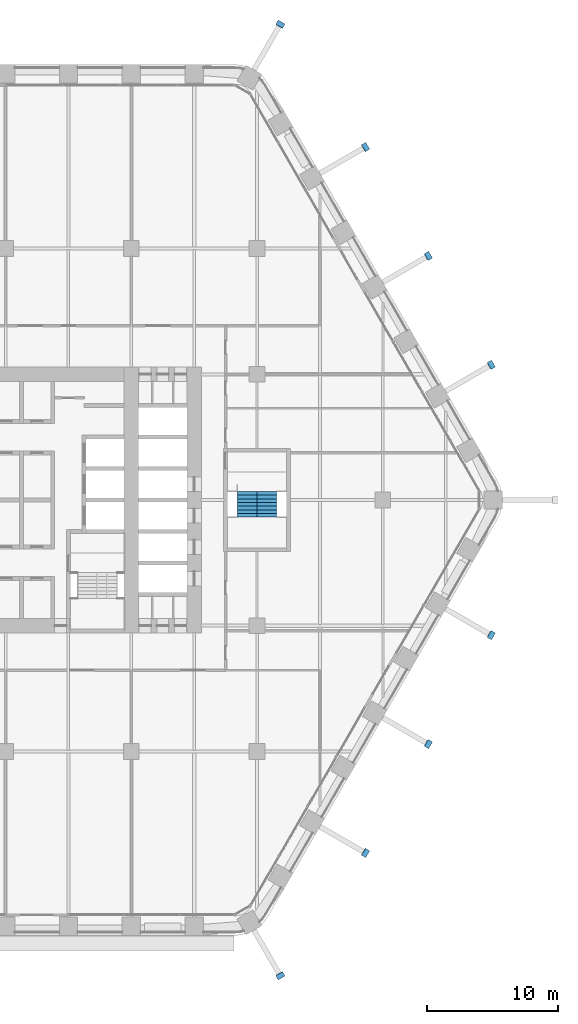
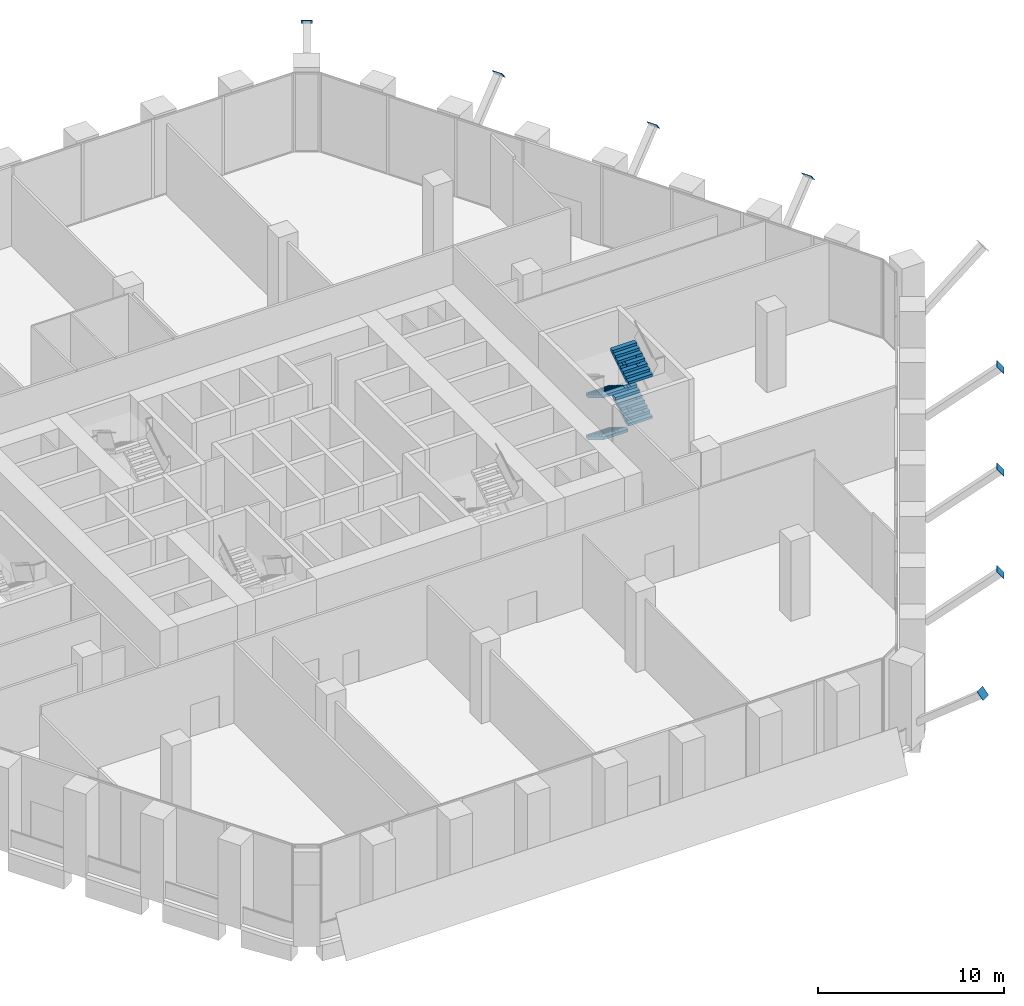
# One storey, part 26 of 29: 8 discrete accessories, 4 stair flights, 1 element without a shape of its own.
"""IFC4 building model written with IfcOpenShell, lengths in metres."""

from ifc_helpers import new_model, si_unit, direction, frame, origin, origin_2d, place, context, subcontext, project, spatial, polyline, rectangle, outline, extrude, material, type_object, element, aggregate, save


model = new_model("IFC4")

# Units and contexts
model_context = context("Model", 3, precision=1e-05, world=origin(), true_north=direction((0.0, 1.0)))
body_context = subcontext(model_context, "Body", "Model", "MODEL_VIEW")
ifc_project = project(units=[si_unit("LENGTHUNIT", "METRE"), si_unit("AREAUNIT", "SQUARE_METRE"), si_unit("VOLUMEUNIT", "CUBIC_METRE"), si_unit("PLANEANGLEUNIT", "RADIAN"), si_unit("MASSUNIT", "GRAM", prefix="KILO")], contexts=[model_context])

# Site, building, storey
site_placement = place(None, origin())
site = spatial("IfcSite", under=ifc_project, at=site_placement, CompositionType="ELEMENT")
building_placement = place(site_placement, origin())
building = spatial("IfcBuilding", under=site, at=building_placement, Name="Kolab Exchange Tower", CompositionType="ELEMENT")
storey_placement = place(building_placement, frame((0.0, 0.0, 55.39990234375)))
storey = spatial("IfcBuildingStorey", under=building, at=storey_placement, Name="L10", CompositionType="ELEMENT", Elevation=55.39990234375)

# Stair, stair flights
ifc_material = material(Name="Concrete C50/60", Category="concrete")
stair_type = type_object("IfcStairType", Name="STAIR ST4 RISER 171.9", PredefinedType="DOUBLE_RETURN_STAIR", material=ifc_material)
stair_placement = place(storey_placement, origin())
stair = element("IfcStair", 1, at=stair_placement, inside=storey, type_object=stair_type, Name="Stair 4", PredefinedType="DOUBLE_RETURN_STAIR")
stair_flight_type = type_object("IfcStairFlightType", Name="STAIR FLIGHT 1500 RISER 171.9", PredefinedType="STRAIGHT", material=ifc_material)
stair_flight_1_placement = place(storey_placement, frame((18.43994140625, 0.64990234375, 0.0), z_axis=(0.0, 0.0, 1.0), x_axis=(0.0, -1.0, 0.0)))
stair_flight_1 = element("IfcStairFlight", 2, at=stair_flight_1_placement, type_object=stair_flight_type, Name="ST4 flight 1", NumberOfRisers=8, NumberOfTreads=7, PredefinedType="STRAIGHT", RiserHeight=0.171875, TreadLength=0.28, context=body_context, shape_type="SweptSolid", body=[
    extrude(outline(polyline([(0.0, 0.0), (0.0, 0.171875), (0.280029296875, 0.171875), (0.280029296875, 0.34375), (0.56005859375, 0.34375), (0.56005859375, 0.515625), (0.840087890625, 0.515625), (0.840087890625, 0.6875), (1.1201171875, 0.6875), (1.1201171875, 0.859375), (1.39990234375, 0.859375), (1.39990234375, 1.03125), (1.679931640625, 1.03125), (1.679931640625, 1.203125), (1.9599609375, 1.203125), (1.9599609375, 1.375), (1.9599609375, 1.02734375), (0.28662109375, 0.0), (0.0, 0.0)])), frame((0.0, 0.75, 0.0), z_axis=(0.0, -1.0, 0.0), x_axis=(1.0, 0.0, 0.0)), (0.0, 0.0, 1.0), 0.185791015625),
    extrude(outline(polyline([(0.0, 0.0), (0.0, 0.171875), (0.280029296875, 0.171875), (0.280029296875, 0.34375), (0.56005859375, 0.34375), (0.56005859375, 0.515625), (0.840087890625, 0.515625), (0.840087890625, 0.6875), (1.1201171875, 0.6875), (1.1201171875, 0.859375), (1.39990234375, 0.859375), (1.39990234375, 1.03125), (1.679931640625, 1.03125), (1.679931640625, 1.203125), (1.9599609375, 1.203125), (1.9599609375, 1.375), (1.9599609375, 1.02734375), (0.28662109375, 0.0), (0.0, 0.0)])), frame((0.0, 0.562255859375, 0.0), z_axis=(0.0, -1.0, 0.0), x_axis=(1.0, 0.0, 0.0)), (0.0, 0.0, 1.0), 0.185791015625),
    extrude(outline(polyline([(0.0, 0.0), (0.0, 0.171875), (0.280029296875, 0.171875), (0.280029296875, 0.34375), (0.56005859375, 0.34375), (0.56005859375, 0.515625), (0.840087890625, 0.515625), (0.840087890625, 0.6875), (1.1201171875, 0.6875), (1.1201171875, 0.859375), (1.39990234375, 0.859375), (1.39990234375, 1.03125), (1.679931640625, 1.03125), (1.679931640625, 1.203125), (1.9599609375, 1.203125), (1.9599609375, 1.375), (1.9599609375, 1.02734375), (0.28662109375, 0.0), (0.0, 0.0)])), frame((0.0, 0.37451171875, 0.0), z_axis=(0.0, -1.0, 0.0), x_axis=(1.0, 0.0, 0.0)), (0.0, 0.0, 1.0), 0.185791015625),
    extrude(outline(polyline([(0.0, 0.0), (0.0, 0.171875), (0.280029296875, 0.171875), (0.280029296875, 0.34375), (0.56005859375, 0.34375), (0.56005859375, 0.515625), (0.840087890625, 0.515625), (0.840087890625, 0.6875), (1.1201171875, 0.6875), (1.1201171875, 0.859375), (1.39990234375, 0.859375), (1.39990234375, 1.03125), (1.679931640625, 1.03125), (1.679931640625, 1.203125), (1.9599609375, 1.203125), (1.9599609375, 1.375), (1.9599609375, 1.02734375), (0.28662109375, 0.0), (0.0, 0.0)])), frame((0.0, 0.186767578125, 0.0), z_axis=(0.0, -1.0, 0.0), x_axis=(1.0, 0.0, 0.0)), (0.0, 0.0, 1.0), 0.185791015625),
    extrude(outline(polyline([(0.0, 0.0), (0.0, 0.171875), (0.280029296875, 0.171875), (0.280029296875, 0.34375), (0.56005859375, 0.34375), (0.56005859375, 0.515625), (0.840087890625, 0.515625), (0.840087890625, 0.6875), (1.1201171875, 0.6875), (1.1201171875, 0.859375), (1.39990234375, 0.859375), (1.39990234375, 1.03125), (1.679931640625, 1.03125), (1.679931640625, 1.203125), (1.9599609375, 1.203125), (1.9599609375, 1.375), (1.9599609375, 1.02734375), (0.28662109375, 0.0), (0.0, 0.0)])), frame((0.0, -0.0009765625, 0.0), z_axis=(0.0, -1.0, 0.0), x_axis=(1.0, 0.0, 0.0)), (0.0, 0.0, 1.0), 0.185791015625),
    extrude(outline(polyline([(0.0, 0.0), (0.0, 0.171875), (0.280029296875, 0.171875), (0.280029296875, 0.34375), (0.56005859375, 0.34375), (0.56005859375, 0.515625), (0.840087890625, 0.515625), (0.840087890625, 0.6875), (1.1201171875, 0.6875), (1.1201171875, 0.859375), (1.39990234375, 0.859375), (1.39990234375, 1.03125), (1.679931640625, 1.03125), (1.679931640625, 1.203125), (1.9599609375, 1.203125), (1.9599609375, 1.375), (1.9599609375, 1.02734375), (0.28662109375, 0.0), (0.0, 0.0)])), frame((0.0, -0.188720703125, 0.0), z_axis=(0.0, -1.0, 0.0), x_axis=(1.0, 0.0, 0.0)), (0.0, 0.0, 1.0), 0.185791015625),
    extrude(outline(polyline([(0.0, 0.0), (0.0, 0.171875), (0.280029296875, 0.171875), (0.280029296875, 0.34375), (0.56005859375, 0.34375), (0.56005859375, 0.515625), (0.840087890625, 0.515625), (0.840087890625, 0.6875), (1.1201171875, 0.6875), (1.1201171875, 0.859375), (1.39990234375, 0.859375), (1.39990234375, 1.03125), (1.679931640625, 1.03125), (1.679931640625, 1.203125), (1.9599609375, 1.203125), (1.9599609375, 1.375), (1.9599609375, 1.02734375), (0.28662109375, 0.0), (0.0, 0.0)])), frame((0.0, -0.37646484375, 0.0), z_axis=(0.0, -1.0, 0.0), x_axis=(1.0, 0.0, 0.0)), (0.0, 0.0, 1.0), 0.185791015625),
    extrude(outline(polyline([(0.0, 0.0), (0.0, 0.171875), (0.280029296875, 0.171875), (0.280029296875, 0.34375), (0.56005859375, 0.34375), (0.56005859375, 0.515625), (0.840087890625, 0.515625), (0.840087890625, 0.6875), (1.1201171875, 0.6875), (1.1201171875, 0.859375), (1.39990234375, 0.859375), (1.39990234375, 1.03125), (1.679931640625, 1.03125), (1.679931640625, 1.203125), (1.9599609375, 1.203125), (1.9599609375, 1.375), (1.9599609375, 1.02734375), (0.28662109375, 0.0), (0.0, 0.0)])), frame((0.0, -0.564208984375, 0.0), z_axis=(0.0, -1.0, 0.0), x_axis=(1.0, 0.0, 0.0)), (0.0, 0.0, 1.0), 0.185791015625),
])
stair_flight_2_placement = place(storey_placement, frame((19.9599609375, -1.31005859375, 1.375), z_axis=(0.0, 0.0, 1.0), x_axis=(0.0, 1.0, 0.0)))
stair_flight_2 = element("IfcStairFlight", 3, at=stair_flight_2_placement, type_object=stair_flight_type, Name="ST4 flight 2", NumberOfRisers=8, NumberOfTreads=7, PredefinedType="STRAIGHT", RiserHeight=0.171875, TreadLength=0.28, context=body_context, shape_type="SweptSolid", body=[
    extrude(outline(polyline([(0.0, 0.0), (0.0, 0.171875), (0.280029296875, 0.171875), (0.280029296875, 0.34375), (0.56005859375, 0.34375), (0.56005859375, 0.515625), (0.840087890625, 0.515625), (0.840087890625, 0.6875), (1.1201171875, 0.6875), (1.1201171875, 0.859375), (1.39990234375, 0.859375), (1.39990234375, 1.03125), (1.679931640625, 1.03125), (1.679931640625, 1.203125), (1.9599609375, 1.203125), (1.9599609375, 1.375), (1.9599609375, 1.02734375), (0.28662109375, 0.0), (0.0, 0.0)])), frame((0.0, 0.75, 0.0), z_axis=(0.0, -1.0, 0.0), x_axis=(1.0, 0.0, 0.0)), (0.0, 0.0, 1.0), 0.185791015625),
    extrude(outline(polyline([(0.0, 0.0), (0.0, 0.171875), (0.280029296875, 0.171875), (0.280029296875, 0.34375), (0.56005859375, 0.34375), (0.56005859375, 0.515625), (0.840087890625, 0.515625), (0.840087890625, 0.6875), (1.1201171875, 0.6875), (1.1201171875, 0.859375), (1.39990234375, 0.859375), (1.39990234375, 1.03125), (1.679931640625, 1.03125), (1.679931640625, 1.203125), (1.9599609375, 1.203125), (1.9599609375, 1.375), (1.9599609375, 1.02734375), (0.28662109375, 0.0), (0.0, 0.0)])), frame((0.0, 0.562255859375, 0.0), z_axis=(0.0, -1.0, 0.0), x_axis=(1.0, 0.0, 0.0)), (0.0, 0.0, 1.0), 0.185791015625),
    extrude(outline(polyline([(0.0, 0.0), (0.0, 0.171875), (0.280029296875, 0.171875), (0.280029296875, 0.34375), (0.56005859375, 0.34375), (0.56005859375, 0.515625), (0.840087890625, 0.515625), (0.840087890625, 0.6875), (1.1201171875, 0.6875), (1.1201171875, 0.859375), (1.39990234375, 0.859375), (1.39990234375, 1.03125), (1.679931640625, 1.03125), (1.679931640625, 1.203125), (1.9599609375, 1.203125), (1.9599609375, 1.375), (1.9599609375, 1.02734375), (0.28662109375, 0.0), (0.0, 0.0)])), frame((0.0, 0.37451171875, 0.0), z_axis=(0.0, -1.0, 0.0), x_axis=(1.0, 0.0, 0.0)), (0.0, 0.0, 1.0), 0.185791015625),
    extrude(outline(polyline([(0.0, 0.0), (0.0, 0.171875), (0.280029296875, 0.171875), (0.280029296875, 0.34375), (0.56005859375, 0.34375), (0.56005859375, 0.515625), (0.840087890625, 0.515625), (0.840087890625, 0.6875), (1.1201171875, 0.6875), (1.1201171875, 0.859375), (1.39990234375, 0.859375), (1.39990234375, 1.03125), (1.679931640625, 1.03125), (1.679931640625, 1.203125), (1.9599609375, 1.203125), (1.9599609375, 1.375), (1.9599609375, 1.02734375), (0.28662109375, 0.0), (0.0, 0.0)])), frame((0.0, 0.186767578125, 0.0), z_axis=(0.0, -1.0, 0.0), x_axis=(1.0, 0.0, 0.0)), (0.0, 0.0, 1.0), 0.185791015625),
    extrude(outline(polyline([(0.0, 0.0), (0.0, 0.171875), (0.280029296875, 0.171875), (0.280029296875, 0.34375), (0.56005859375, 0.34375), (0.56005859375, 0.515625), (0.840087890625, 0.515625), (0.840087890625, 0.6875), (1.1201171875, 0.6875), (1.1201171875, 0.859375), (1.39990234375, 0.859375), (1.39990234375, 1.03125), (1.679931640625, 1.03125), (1.679931640625, 1.203125), (1.9599609375, 1.203125), (1.9599609375, 1.375), (1.9599609375, 1.02734375), (0.28662109375, 0.0), (0.0, 0.0)])), frame((0.0, -0.0009765625, 0.0), z_axis=(0.0, -1.0, 0.0), x_axis=(1.0, 0.0, 0.0)), (0.0, 0.0, 1.0), 0.185791015625),
    extrude(outline(polyline([(0.0, 0.0), (0.0, 0.171875), (0.280029296875, 0.171875), (0.280029296875, 0.34375), (0.56005859375, 0.34375), (0.56005859375, 0.515625), (0.840087890625, 0.515625), (0.840087890625, 0.6875), (1.1201171875, 0.6875), (1.1201171875, 0.859375), (1.39990234375, 0.859375), (1.39990234375, 1.03125), (1.679931640625, 1.03125), (1.679931640625, 1.203125), (1.9599609375, 1.203125), (1.9599609375, 1.375), (1.9599609375, 1.02734375), (0.28662109375, 0.0), (0.0, 0.0)])), frame((0.0, -0.188720703125, 0.0), z_axis=(0.0, -1.0, 0.0), x_axis=(1.0, 0.0, 0.0)), (0.0, 0.0, 1.0), 0.185791015625),
    extrude(outline(polyline([(0.0, 0.0), (0.0, 0.171875), (0.280029296875, 0.171875), (0.280029296875, 0.34375), (0.56005859375, 0.34375), (0.56005859375, 0.515625), (0.840087890625, 0.515625), (0.840087890625, 0.6875), (1.1201171875, 0.6875), (1.1201171875, 0.859375), (1.39990234375, 0.859375), (1.39990234375, 1.03125), (1.679931640625, 1.03125), (1.679931640625, 1.203125), (1.9599609375, 1.203125), (1.9599609375, 1.375), (1.9599609375, 1.02734375), (0.28662109375, 0.0), (0.0, 0.0)])), frame((0.0, -0.37646484375, 0.0), z_axis=(0.0, -1.0, 0.0), x_axis=(1.0, 0.0, 0.0)), (0.0, 0.0, 1.0), 0.185791015625),
    extrude(outline(polyline([(0.0, 0.0), (0.0, 0.171875), (0.280029296875, 0.171875), (0.280029296875, 0.34375), (0.56005859375, 0.34375), (0.56005859375, 0.515625), (0.840087890625, 0.515625), (0.840087890625, 0.6875), (1.1201171875, 0.6875), (1.1201171875, 0.859375), (1.39990234375, 0.859375), (1.39990234375, 1.03125), (1.679931640625, 1.03125), (1.679931640625, 1.203125), (1.9599609375, 1.203125), (1.9599609375, 1.375), (1.9599609375, 1.02734375), (0.28662109375, 0.0), (0.0, 0.0)])), frame((0.0, -0.564208984375, 0.0), z_axis=(0.0, -1.0, 0.0), x_axis=(1.0, 0.0, 0.0)), (0.0, 0.0, 1.0), 0.185791015625),
])
stair_flight_3_placement = place(storey_placement, frame((18.43994140625, 0.64990234375, 2.75), z_axis=(0.0, 0.0, 1.0), x_axis=(0.0, -1.0, 0.0)))
stair_flight_3 = element("IfcStairFlight", 4, at=stair_flight_3_placement, type_object=stair_flight_type, Name="ST4 flight 3", NumberOfRisers=8, NumberOfTreads=7, PredefinedType="STRAIGHT", RiserHeight=0.171875, TreadLength=0.28, context=body_context, shape_type="SweptSolid", body=[
    extrude(outline(polyline([(0.0, 0.0), (0.0, 0.171875), (0.280029296875, 0.171875), (0.280029296875, 0.34375), (0.56005859375, 0.34375), (0.56005859375, 0.515625), (0.840087890625, 0.515625), (0.840087890625, 0.6875), (1.1201171875, 0.6875), (1.1201171875, 0.859375), (1.39990234375, 0.859375), (1.39990234375, 1.03125), (1.679931640625, 1.03125), (1.679931640625, 1.203125), (1.9599609375, 1.203125), (1.9599609375, 1.375), (1.9599609375, 1.02734375), (0.28662109375, 0.0), (0.0, 0.0)])), frame((0.0, 0.75, 0.0), z_axis=(0.0, -1.0, 0.0), x_axis=(1.0, 0.0, 0.0)), (0.0, 0.0, 1.0), 0.185791015625),
    extrude(outline(polyline([(0.0, 0.0), (0.0, 0.171875), (0.280029296875, 0.171875), (0.280029296875, 0.34375), (0.56005859375, 0.34375), (0.56005859375, 0.515625), (0.840087890625, 0.515625), (0.840087890625, 0.6875), (1.1201171875, 0.6875), (1.1201171875, 0.859375), (1.39990234375, 0.859375), (1.39990234375, 1.03125), (1.679931640625, 1.03125), (1.679931640625, 1.203125), (1.9599609375, 1.203125), (1.9599609375, 1.375), (1.9599609375, 1.02734375), (0.28662109375, 0.0), (0.0, 0.0)])), frame((0.0, 0.562255859375, 0.0), z_axis=(0.0, -1.0, 0.0), x_axis=(1.0, 0.0, 0.0)), (0.0, 0.0, 1.0), 0.185791015625),
    extrude(outline(polyline([(0.0, 0.0), (0.0, 0.171875), (0.280029296875, 0.171875), (0.280029296875, 0.34375), (0.56005859375, 0.34375), (0.56005859375, 0.515625), (0.840087890625, 0.515625), (0.840087890625, 0.6875), (1.1201171875, 0.6875), (1.1201171875, 0.859375), (1.39990234375, 0.859375), (1.39990234375, 1.03125), (1.679931640625, 1.03125), (1.679931640625, 1.203125), (1.9599609375, 1.203125), (1.9599609375, 1.375), (1.9599609375, 1.02734375), (0.28662109375, 0.0), (0.0, 0.0)])), frame((0.0, 0.37451171875, 0.0), z_axis=(0.0, -1.0, 0.0), x_axis=(1.0, 0.0, 0.0)), (0.0, 0.0, 1.0), 0.185791015625),
    extrude(outline(polyline([(0.0, 0.0), (0.0, 0.171875), (0.280029296875, 0.171875), (0.280029296875, 0.34375), (0.56005859375, 0.34375), (0.56005859375, 0.515625), (0.840087890625, 0.515625), (0.840087890625, 0.6875), (1.1201171875, 0.6875), (1.1201171875, 0.859375), (1.39990234375, 0.859375), (1.39990234375, 1.03125), (1.679931640625, 1.03125), (1.679931640625, 1.203125), (1.9599609375, 1.203125), (1.9599609375, 1.375), (1.9599609375, 1.02734375), (0.28662109375, 0.0), (0.0, 0.0)])), frame((0.0, 0.186767578125, 0.0), z_axis=(0.0, -1.0, 0.0), x_axis=(1.0, 0.0, 0.0)), (0.0, 0.0, 1.0), 0.185791015625),
    extrude(outline(polyline([(0.0, 0.0), (0.0, 0.171875), (0.280029296875, 0.171875), (0.280029296875, 0.34375), (0.56005859375, 0.34375), (0.56005859375, 0.515625), (0.840087890625, 0.515625), (0.840087890625, 0.6875), (1.1201171875, 0.6875), (1.1201171875, 0.859375), (1.39990234375, 0.859375), (1.39990234375, 1.03125), (1.679931640625, 1.03125), (1.679931640625, 1.203125), (1.9599609375, 1.203125), (1.9599609375, 1.375), (1.9599609375, 1.02734375), (0.28662109375, 0.0), (0.0, 0.0)])), frame((0.0, -0.0009765625, 0.0), z_axis=(0.0, -1.0, 0.0), x_axis=(1.0, 0.0, 0.0)), (0.0, 0.0, 1.0), 0.185791015625),
    extrude(outline(polyline([(0.0, 0.0), (0.0, 0.171875), (0.280029296875, 0.171875), (0.280029296875, 0.34375), (0.56005859375, 0.34375), (0.56005859375, 0.515625), (0.840087890625, 0.515625), (0.840087890625, 0.6875), (1.1201171875, 0.6875), (1.1201171875, 0.859375), (1.39990234375, 0.859375), (1.39990234375, 1.03125), (1.679931640625, 1.03125), (1.679931640625, 1.203125), (1.9599609375, 1.203125), (1.9599609375, 1.375), (1.9599609375, 1.02734375), (0.28662109375, 0.0), (0.0, 0.0)])), frame((0.0, -0.188720703125, 0.0), z_axis=(0.0, -1.0, 0.0), x_axis=(1.0, 0.0, 0.0)), (0.0, 0.0, 1.0), 0.185791015625),
    extrude(outline(polyline([(0.0, 0.0), (0.0, 0.171875), (0.280029296875, 0.171875), (0.280029296875, 0.34375), (0.56005859375, 0.34375), (0.56005859375, 0.515625), (0.840087890625, 0.515625), (0.840087890625, 0.6875), (1.1201171875, 0.6875), (1.1201171875, 0.859375), (1.39990234375, 0.859375), (1.39990234375, 1.03125), (1.679931640625, 1.03125), (1.679931640625, 1.203125), (1.9599609375, 1.203125), (1.9599609375, 1.375), (1.9599609375, 1.02734375), (0.28662109375, 0.0), (0.0, 0.0)])), frame((0.0, -0.37646484375, 0.0), z_axis=(0.0, -1.0, 0.0), x_axis=(1.0, 0.0, 0.0)), (0.0, 0.0, 1.0), 0.185791015625),
    extrude(outline(polyline([(0.0, 0.0), (0.0, 0.171875), (0.280029296875, 0.171875), (0.280029296875, 0.34375), (0.56005859375, 0.34375), (0.56005859375, 0.515625), (0.840087890625, 0.515625), (0.840087890625, 0.6875), (1.1201171875, 0.6875), (1.1201171875, 0.859375), (1.39990234375, 0.859375), (1.39990234375, 1.03125), (1.679931640625, 1.03125), (1.679931640625, 1.203125), (1.9599609375, 1.203125), (1.9599609375, 1.375), (1.9599609375, 1.02734375), (0.28662109375, 0.0), (0.0, 0.0)])), frame((0.0, -0.564208984375, 0.0), z_axis=(0.0, -1.0, 0.0), x_axis=(1.0, 0.0, 0.0)), (0.0, 0.0, 1.0), 0.185791015625),
])
stair_flight_4_placement = place(storey_placement, frame((19.9599609375, -1.31005859375, 4.125), z_axis=(0.0, 0.0, 1.0), x_axis=(0.0, 1.0, 0.0)))
stair_flight_4 = element("IfcStairFlight", 5, at=stair_flight_4_placement, type_object=stair_flight_type, Name="ST4 flight 4", NumberOfRisers=8, NumberOfTreads=7, PredefinedType="STRAIGHT", RiserHeight=0.171875, TreadLength=0.28, context=body_context, shape_type="SweptSolid", body=[
    extrude(outline(polyline([(0.0, 0.0), (0.0, 0.171875), (0.280029296875, 0.171875), (0.280029296875, 0.34375), (0.56005859375, 0.34375), (0.56005859375, 0.515625), (0.840087890625, 0.515625), (0.840087890625, 0.6875), (1.1201171875, 0.6875), (1.1201171875, 0.859375), (1.39990234375, 0.859375), (1.39990234375, 1.03125), (1.679931640625, 1.03125), (1.679931640625, 1.203125), (1.9599609375, 1.203125), (1.9599609375, 1.375), (1.9599609375, 1.02734375), (0.28662109375, 0.0), (0.0, 0.0)])), frame((0.0, 0.75, 0.0), z_axis=(0.0, -1.0, 0.0), x_axis=(1.0, 0.0, 0.0)), (0.0, 0.0, 1.0), 0.185791015625),
    extrude(outline(polyline([(0.0, 0.0), (0.0, 0.171875), (0.280029296875, 0.171875), (0.280029296875, 0.34375), (0.56005859375, 0.34375), (0.56005859375, 0.515625), (0.840087890625, 0.515625), (0.840087890625, 0.6875), (1.1201171875, 0.6875), (1.1201171875, 0.859375), (1.39990234375, 0.859375), (1.39990234375, 1.03125), (1.679931640625, 1.03125), (1.679931640625, 1.203125), (1.9599609375, 1.203125), (1.9599609375, 1.375), (1.9599609375, 1.02734375), (0.28662109375, 0.0), (0.0, 0.0)])), frame((0.0, 0.562255859375, 0.0), z_axis=(0.0, -1.0, 0.0), x_axis=(1.0, 0.0, 0.0)), (0.0, 0.0, 1.0), 0.185791015625),
    extrude(outline(polyline([(0.0, 0.0), (0.0, 0.171875), (0.280029296875, 0.171875), (0.280029296875, 0.34375), (0.56005859375, 0.34375), (0.56005859375, 0.515625), (0.840087890625, 0.515625), (0.840087890625, 0.6875), (1.1201171875, 0.6875), (1.1201171875, 0.859375), (1.39990234375, 0.859375), (1.39990234375, 1.03125), (1.679931640625, 1.03125), (1.679931640625, 1.203125), (1.9599609375, 1.203125), (1.9599609375, 1.375), (1.9599609375, 1.02734375), (0.28662109375, 0.0), (0.0, 0.0)])), frame((0.0, 0.37451171875, 0.0), z_axis=(0.0, -1.0, 0.0), x_axis=(1.0, 0.0, 0.0)), (0.0, 0.0, 1.0), 0.185791015625),
    extrude(outline(polyline([(0.0, 0.0), (0.0, 0.171875), (0.280029296875, 0.171875), (0.280029296875, 0.34375), (0.56005859375, 0.34375), (0.56005859375, 0.515625), (0.840087890625, 0.515625), (0.840087890625, 0.6875), (1.1201171875, 0.6875), (1.1201171875, 0.859375), (1.39990234375, 0.859375), (1.39990234375, 1.03125), (1.679931640625, 1.03125), (1.679931640625, 1.203125), (1.9599609375, 1.203125), (1.9599609375, 1.375), (1.9599609375, 1.02734375), (0.28662109375, 0.0), (0.0, 0.0)])), frame((0.0, 0.186767578125, 0.0), z_axis=(0.0, -1.0, 0.0), x_axis=(1.0, 0.0, 0.0)), (0.0, 0.0, 1.0), 0.185791015625),
    extrude(outline(polyline([(0.0, 0.0), (0.0, 0.171875), (0.280029296875, 0.171875), (0.280029296875, 0.34375), (0.56005859375, 0.34375), (0.56005859375, 0.515625), (0.840087890625, 0.515625), (0.840087890625, 0.6875), (1.1201171875, 0.6875), (1.1201171875, 0.859375), (1.39990234375, 0.859375), (1.39990234375, 1.03125), (1.679931640625, 1.03125), (1.679931640625, 1.203125), (1.9599609375, 1.203125), (1.9599609375, 1.375), (1.9599609375, 1.02734375), (0.28662109375, 0.0), (0.0, 0.0)])), frame((0.0, -0.0009765625, 0.0), z_axis=(0.0, -1.0, 0.0), x_axis=(1.0, 0.0, 0.0)), (0.0, 0.0, 1.0), 0.185791015625),
    extrude(outline(polyline([(0.0, 0.0), (0.0, 0.171875), (0.280029296875, 0.171875), (0.280029296875, 0.34375), (0.56005859375, 0.34375), (0.56005859375, 0.515625), (0.840087890625, 0.515625), (0.840087890625, 0.6875), (1.1201171875, 0.6875), (1.1201171875, 0.859375), (1.39990234375, 0.859375), (1.39990234375, 1.03125), (1.679931640625, 1.03125), (1.679931640625, 1.203125), (1.9599609375, 1.203125), (1.9599609375, 1.375), (1.9599609375, 1.02734375), (0.28662109375, 0.0), (0.0, 0.0)])), frame((0.0, -0.188720703125, 0.0), z_axis=(0.0, -1.0, 0.0), x_axis=(1.0, 0.0, 0.0)), (0.0, 0.0, 1.0), 0.185791015625),
    extrude(outline(polyline([(0.0, 0.0), (0.0, 0.171875), (0.280029296875, 0.171875), (0.280029296875, 0.34375), (0.56005859375, 0.34375), (0.56005859375, 0.515625), (0.840087890625, 0.515625), (0.840087890625, 0.6875), (1.1201171875, 0.6875), (1.1201171875, 0.859375), (1.39990234375, 0.859375), (1.39990234375, 1.03125), (1.679931640625, 1.03125), (1.679931640625, 1.203125), (1.9599609375, 1.203125), (1.9599609375, 1.375), (1.9599609375, 1.02734375), (0.28662109375, 0.0), (0.0, 0.0)])), frame((0.0, -0.37646484375, 0.0), z_axis=(0.0, -1.0, 0.0), x_axis=(1.0, 0.0, 0.0)), (0.0, 0.0, 1.0), 0.185791015625),
    extrude(outline(polyline([(0.0, 0.0), (0.0, 0.171875), (0.280029296875, 0.171875), (0.280029296875, 0.34375), (0.56005859375, 0.34375), (0.56005859375, 0.515625), (0.840087890625, 0.515625), (0.840087890625, 0.6875), (1.1201171875, 0.6875), (1.1201171875, 0.859375), (1.39990234375, 0.859375), (1.39990234375, 1.03125), (1.679931640625, 1.03125), (1.679931640625, 1.203125), (1.9599609375, 1.203125), (1.9599609375, 1.375), (1.9599609375, 1.02734375), (0.28662109375, 0.0), (0.0, 0.0)])), frame((0.0, -0.564208984375, 0.0), z_axis=(0.0, -1.0, 0.0), x_axis=(1.0, 0.0, 0.0)), (0.0, 0.0, 1.0), 0.185791015625),
])
aggregate(stair, [stair_flight_1, stair_flight_2, stair_flight_3, stair_flight_4])

# Discrete accessories
discrete_accessory_1_placement = place(storey_placement, frame((20.968017578125, 36.317626953125, 4.468017578125), z_axis=(0.391161801238, 0.674754107136, 0.625858881981), x_axis=(-0.865140001465, 0.501530435632, 0.0)))
element("IfcDiscreteAccessory", 6, at=discrete_accessory_1_placement, inside=storey, Name="Gusset plate", ObjectType="GUSSET PLATE", PredefinedType="USERDEFINED", context=body_context, shape_type="SweptSolid", body=[
    extrude(rectangle(XDim=0.60009765625, YDim=0.60009765625, at=origin_2d()), origin(), (0.0, 0.0, 1.0), 0.02490234375),
])
discrete_accessory_2_placement = place(storey_placement, frame((27.464111328125, 26.94140625, 4.468017578125), z_axis=(0.672155866749, 0.3993969643, 0.623448919883), x_axis=(-0.510826591194, 0.859683775425, 0.0)))
element("IfcDiscreteAccessory", 7, at=discrete_accessory_2_placement, inside=storey, Name="Gusset plate", ObjectType="GUSSET PLATE", PredefinedType="USERDEFINED", context=body_context, shape_type="SweptSolid", body=[
    extrude(rectangle(XDim=0.60009765625, YDim=0.60009765625, at=origin_2d()), origin(), (0.0, 0.0, 1.0), 0.025146484375),
])
for number, where, z_axis, x_axis, name in (
    (8, (32.26416015625, 18.627685546875, 4.468017578125), (0.674754107136, 0.391161801238, 0.625858881981), (-0.501530435632, 0.865140001465, 0.0), "Gusset plate"),
    (9, (37.064208984375, 10.313720703125, 4.468017578125), (0.674754107136, 0.391161801238, 0.625858881981), (-0.501530435632, 0.865140001465, 0.0), "Gusset plate"),
    (10, (37.064208984375, -10.313720703125, 4.468017578125), (0.674754107136, -0.391161801238, 0.625858881981), (0.501530435632, 0.865140001465, 0.0), "Gusset plate"),
    (11, (32.26416015625, -18.627685546875, 4.468017578125), (0.674754107136, -0.391161801238, 0.625858881981), (0.501530435632, 0.865140001465, 0.0), "Gusset plate"),
):
    element("IfcDiscreteAccessory", number, at=place(storey_placement, frame(where, z_axis=z_axis, x_axis=x_axis)), inside=storey, Name=name, ObjectType="GUSSET PLATE", PredefinedType="USERDEFINED", context=body_context, shape_type="SweptSolid", body=[
        extrude(rectangle(XDim=0.60009765625, YDim=0.60009765625, at=origin_2d()), origin(), (0.0, 0.0, 1.0), 0.02490234375),
    ])
discrete_accessory_3_placement = place(storey_placement, frame((27.464111328125, -26.94140625, 4.468017578125), z_axis=(0.672155866749, -0.3993969643, 0.623448919883), x_axis=(0.510826591194, 0.859683775425, 0.0)))
element("IfcDiscreteAccessory", 12, at=discrete_accessory_3_placement, inside=storey, Name="Gusset plate", ObjectType="GUSSET PLATE", PredefinedType="USERDEFINED", context=body_context, shape_type="SweptSolid", body=[
    extrude(rectangle(XDim=0.60009765625, YDim=0.60009765625, at=origin_2d()), origin(), (0.0, 0.0, 1.0), 0.025146484375),
])
discrete_accessory_4_placement = place(storey_placement, frame((20.968017578125, -36.317626953125, 4.468017578125), z_axis=(0.391161801238, -0.674754107136, 0.625858881981), x_axis=(0.865140001465, 0.501530435632, 0.0)))
element("IfcDiscreteAccessory", 13, at=discrete_accessory_4_placement, inside=storey, Name="Gusset plate", ObjectType="GUSSET PLATE", PredefinedType="USERDEFINED", context=body_context, shape_type="SweptSolid", body=[
    extrude(rectangle(XDim=0.60009765625, YDim=0.60009765625, at=origin_2d()), origin(), (0.0, 0.0, 1.0), 0.02490234375),
])

save(model, "model.ifc")
